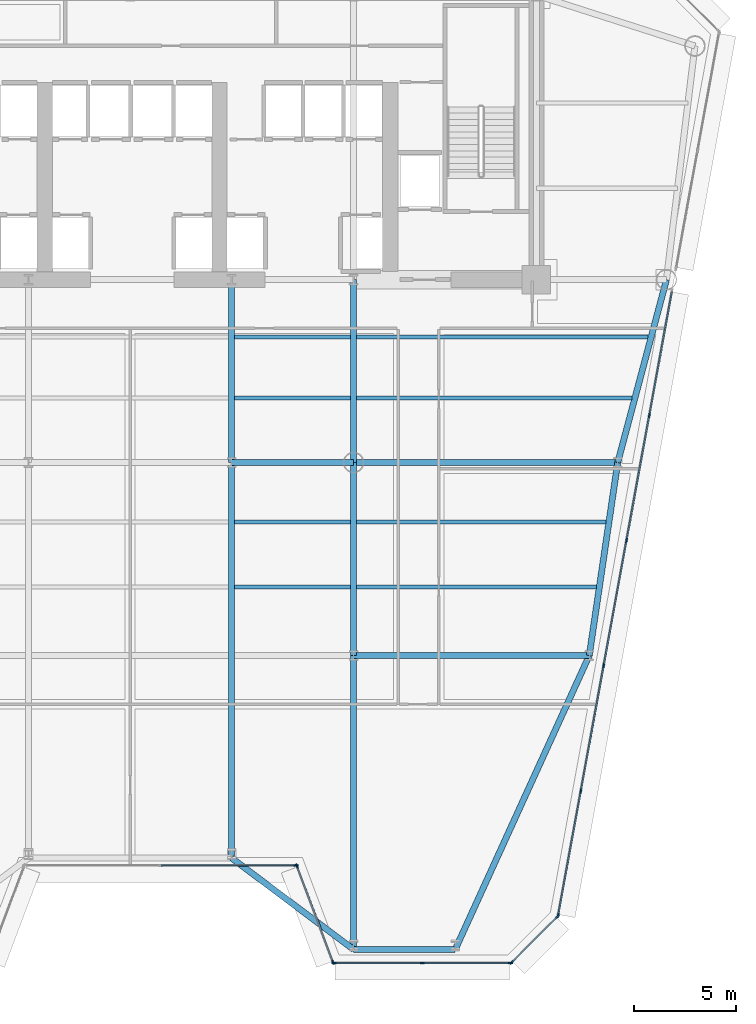
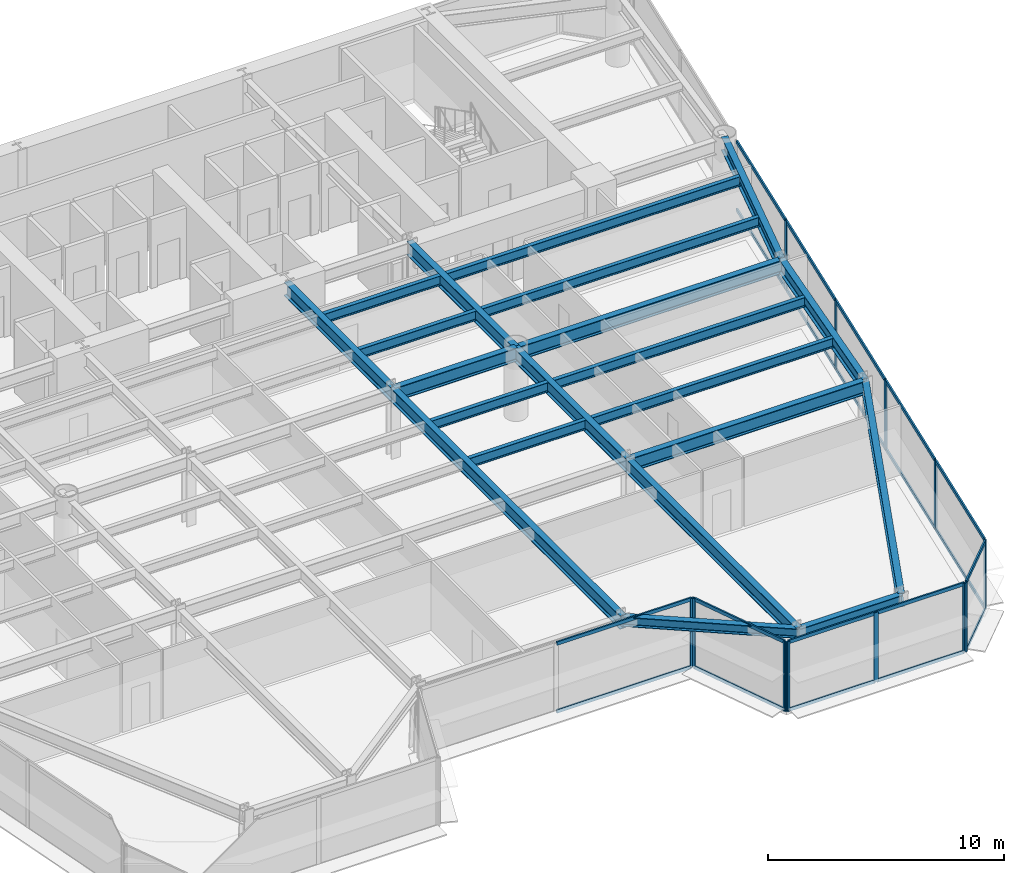
# One storey, part 4 of 14: 33 members, 21 beams, 5 elements without a shape of their own.
"""IFC4 building model written with IfcOpenShell, lengths in metres."""

import ifcopenshell
import ifcopenshell.guid

model = None  # the IFC model being written
_history = None  # IfcOwnerHistory: only IFC2X3 demands one
_inside = {}  # id of a spatial element -> (the spatial element, [elements in it])
_under = {}  # id of a project, library or spatial element -> (it, [spatial elements below it])
_declared = {}  # id of a project -> (the project, [libraries it declares])
_typed = {}  # id of a type object -> (the type object, [elements of that type])
_made_of = {}  # id of a material, layer set ... -> (it, [elements and type objects made of it])


def new_model(schema):
    """Start an empty IFC model of exactly this schema.

    Asked for "IFC4X3", IfcOpenShell would pick the latest addendum, in which some entities
    have other attributes; the version numbers below select the first issue.
    IFC2X3 requires an IfcOwnerHistory on every rooted entity: one is made here for all.
    """
    global model, _history
    if schema == "IFC4X3":
        model = ifcopenshell.file(schema_version=(4, 3, 0, 0))
    else:
        model = ifcopenshell.file(schema=schema)
    _inside.clear()
    _under.clear()
    _declared.clear()
    _typed.clear()
    _made_of.clear()
    _history = None
    if model.schema == "IFC2X3":
        org = make("IfcOrganization", Name="unknown")
        user = make(
            "IfcPersonAndOrganization",
            ThePerson=make("IfcPerson", FamilyName="unknown"),
            TheOrganization=org,
        )
        app = make(
            "IfcApplication",
            ApplicationDeveloper=org,
            Version="unknown",
            ApplicationFullName="unknown",
            ApplicationIdentifier="unknown",
        )
        _history = make(
            "IfcOwnerHistory",
            OwningUser=user,
            OwningApplication=app,
            ChangeAction="ADDED",
            CreationDate=0,
        )
    return model


def make(cls, **values):
    """One entity of the class cls with the attributes given. An attribute that is None is left unset."""
    return model.create_entity(
        cls, **{name: value for name, value in values.items() if value is not None}
    )


def rooted(cls, **values):
    """An entity with a GlobalId (a new one), such as an element, a storey or a relation."""
    return make(cls, GlobalId=ifcopenshell.guid.new(), OwnerHistory=_history, **values)


def si_unit(unit_type, name, prefix=None):
    """IfcSIUnit, for example si_unit("LENGTHUNIT", "METRE", prefix="MILLI")."""
    return make("IfcSIUnit", UnitType=unit_type, Prefix=prefix, Name=name)


def assignment(units):
    """IfcUnitAssignment: the units of a project."""
    return None if units is None else make("IfcUnitAssignment", Units=units)


def point(xyz):
    """IfcCartesianPoint."""
    return None if xyz is None else make("IfcCartesianPoint", Coordinates=xyz)


def direction(xyz):
    """IfcDirection."""
    return None if xyz is None else make("IfcDirection", DirectionRatios=xyz)


def frame(location, z_axis=None, x_axis=None):
    """IfcAxis2Placement3D, a coordinate frame: its origin and axes. An axis left out is left unset."""
    return make(
        "IfcAxis2Placement3D",
        Location=point(location),
        Axis=direction(z_axis),
        RefDirection=direction(x_axis),
    )


def frame_2d(location, x_axis=None):
    """IfcAxis2Placement2D, a coordinate frame in the plane: its origin and x axis."""
    return make(
        "IfcAxis2Placement2D", Location=point(location), RefDirection=direction(x_axis)
    )


def origin():
    """The frame at (0, 0, 0) with its axes left unset."""
    return frame((0.0, 0.0, 0.0))


def origin_2d():
    """The frame at (0, 0) in the plane with its x axis left unset."""
    return frame_2d((0.0, 0.0))


def place(relative_to, where):
    """IfcLocalPlacement: puts the frame where relative to a parent placement (None: the world)."""
    return make(
        "IfcLocalPlacement", PlacementRelTo=relative_to, RelativePlacement=where
    )


def context(
    kind, dimensions, precision=None, world=None, true_north=None, identifier=None
):
    """IfcGeometricRepresentationContext, for example the 3D "Model" context."""
    return make(
        "IfcGeometricRepresentationContext",
        ContextIdentifier=identifier,
        ContextType=kind,
        CoordinateSpaceDimension=dimensions,
        Precision=precision,
        WorldCoordinateSystem=world,
        TrueNorth=true_north,
    )


def subcontext(parent, identifier, kind, view, scale=None):
    """IfcGeometricRepresentationSubContext, for example "Body" below "Model"."""
    return make(
        "IfcGeometricRepresentationSubContext",
        ContextIdentifier=identifier,
        ContextType=kind,
        ParentContext=parent,
        TargetScale=scale,
        TargetView=view,
    )


def project(units=None, contexts=None):
    """IfcProject with its units and contexts."""
    return rooted(
        "IfcProject",
        Name="project",
        RepresentationContexts=contexts,
        UnitsInContext=assignment(units),
    )


def spatial(cls, under=None, at=None, **own):
    """A site, building, storey or space (cls), placed at a placement, below another one or the project."""
    s = rooted(cls, ObjectPlacement=at, **own)
    if under is not None:
        _under.setdefault(under.id(), (under, []))[1].append(s)
    return s


def profile(cls, at=None, kind="AREA", **sizes):
    """A parametric profile (cls). Its sizes go by their IFC names, for example OverallWidth=200.0."""
    return make(cls, ProfileType=kind, Position=at, **sizes)


def rectangle(**sizes):
    """IfcRectangleProfileDef."""
    return profile("IfcRectangleProfileDef", **sizes)


def i_section(**sizes):
    """IfcIShapeProfileDef."""
    return profile("IfcIShapeProfileDef", **sizes)


def extrude(swept, where, along, depth):
    """IfcExtrudedAreaSolid: the profile swept, set in the frame where, extruded along a direction by depth."""
    return make(
        "IfcExtrudedAreaSolid",
        SweptArea=swept,
        Position=where,
        ExtrudedDirection=direction(along),
        Depth=depth,
    )


def shape(context_of_items, identifier, shape_type, items):
    """IfcShapeRepresentation: the items that make up one representation, for example the "Body"."""
    return make(
        "IfcShapeRepresentation",
        ContextOfItems=context_of_items,
        RepresentationIdentifier=identifier,
        RepresentationType=shape_type,
        Items=items,
    )


def source(mapping_origin, context_of_items, identifier, shape_type, items):
    """IfcRepresentationMap: a shape defined once, which mapped items show again and again."""
    return make(
        "IfcRepresentationMap",
        MappingOrigin=mapping_origin,
        MappedRepresentation=shape(context_of_items, identifier, shape_type, items),
    )


def transform(
    local_origin,
    x_axis=None,
    y_axis=None,
    z_axis=None,
    scale=None,
    scale2=None,
    scale3=None,
    uniform=True,
):
    """IfcCartesianTransformationOperator3D, or its non-uniform kind. x_axis, y_axis, z_axis: its Axis1, 2, 3."""
    if uniform:
        return make(
            "IfcCartesianTransformationOperator3D",
            Axis1=direction(x_axis),
            Axis2=direction(y_axis),
            LocalOrigin=point(local_origin),
            Scale=scale,
            Axis3=direction(z_axis),
        )
    return make(
        "IfcCartesianTransformationOperator3DnonUniform",
        Axis1=direction(x_axis),
        Axis2=direction(y_axis),
        LocalOrigin=point(local_origin),
        Scale=scale,
        Axis3=direction(z_axis),
        Scale2=scale2,
        Scale3=scale3,
    )


def mapped(mapping_source, mapping_target):
    """IfcMappedItem: shows the shape of a source again, moved by a transform."""
    return make(
        "IfcMappedItem", MappingSource=mapping_source, MappingTarget=mapping_target
    )


def material(Name=None, Category=None):
    """IfcMaterial."""
    return make("IfcMaterial", Name=Name, Category=Category)


def layer(
    of_material, thickness, ventilated=None, Name=None, Category=None, Priority=None
):
    """IfcMaterialLayer: one layer of a wall or slab, of a material (None: an air gap)."""
    return make(
        "IfcMaterialLayer",
        Material=of_material,
        LayerThickness=thickness,
        IsVentilated=ventilated,
        Name=Name,
        Category=Category,
        Priority=Priority,
    )


def layer_set(layers, Name=None):
    """IfcMaterialLayerSet."""
    return make("IfcMaterialLayerSet", MaterialLayers=layers, LayerSetName=Name)


def material_profile(
    of_material, cross_section, Name=None, Category=None, Priority=None
):
    """IfcMaterialProfile: a cross section and its material."""
    return make(
        "IfcMaterialProfile",
        Name=Name,
        Material=of_material,
        Profile=cross_section,
        Priority=Priority,
        Category=Category,
    )


def profile_set(profiles, Name=None, composite=None):
    """IfcMaterialProfileSet."""
    return make(
        "IfcMaterialProfileSet",
        Name=Name,
        MaterialProfiles=profiles,
        CompositeProfile=composite,
    )


def made_of(thing, what):
    """Note that an element or type object is made of a material, layer set ...; save() writes the relation."""
    if what is not None:
        _made_of.setdefault(what.id(), (what, []))[1].append(thing)
    return thing


def type_object(cls, material=None, **own):
    """A type object (cls), such as IfcWallType, which elements share."""
    return made_of(rooted(cls, **own), material)


def element(
    cls,
    number,
    at=None,
    inside=None,
    cuts=None,
    type_object=None,
    material=None,
    context=None,
    identifier="Body",
    shape_type=None,
    held_by="IfcProductDefinitionShape",
    body=None,
    shapes=None,
    **own,
):
    """One element of the class cls, such as IfcWall. Its Tag is "e" and its number.

    at: its placement. inside: the storey or other place that contains it. cuts: it is an
    opening in that element (IfcRelVoidsElement). A single representation is given by context,
    identifier, shape_type and body (its items); several are given by shapes. held_by: the class
    of the entity that holds the representations. save() writes the other relations.
    """
    e = rooted(cls, Tag="e%d" % number, ObjectPlacement=at, **own)
    if body is not None:
        shapes = [shape(context, identifier, shape_type, body)]
    if shapes is not None:
        e.Representation = make(held_by, Representations=shapes)
    if inside is not None:
        _inside.setdefault(inside.id(), (inside, []))[1].append(e)
    if cuts is not None:
        rooted(
            "IfcRelVoidsElement", RelatingBuildingElement=cuts, RelatedOpeningElement=e
        )
    if type_object is not None:
        _typed.setdefault(type_object.id(), (type_object, []))[1].append(e)
    return made_of(e, material)


def aggregate(whole, parts):
    """IfcRelAggregates: a whole, such as a stair, and the parts it consists of."""
    return rooted("IfcRelAggregates", RelatingObject=whole, RelatedObjects=parts)


def save(model, path):
    """Write the relations noted so far, then the file.

    IfcRelAggregates (storeys below a building ...), IfcRelContainedInSpatialStructure (elements
    in a storey), IfcRelDefinesByType, IfcRelAssociatesMaterial and IfcRelDeclares: one each for
    every whole, place, type object, material and project.
    """
    for whole, parts in _under.values():
        aggregate(whole, parts)
    for where, things in _inside.values():
        rooted(
            "IfcRelContainedInSpatialStructure",
            RelatedElements=things,
            RelatingStructure=where,
        )
    for kind, things in _typed.values():
        rooted("IfcRelDefinesByType", RelatedObjects=things, RelatingType=kind)
    for what, things in _made_of.values():
        rooted("IfcRelAssociatesMaterial", RelatedObjects=things, RelatingMaterial=what)
    for by, libraries in _declared.values():
        rooted("IfcRelDeclares", RelatingContext=by, RelatedDefinitions=libraries)
    model.write(path)


model = new_model("IFC4")

# Units and contexts
model_context = context("Model", 3, precision=1e-05, world=origin(), true_north=direction((0.0, 1.0)))
body_context = subcontext(model_context, "Body", "Model", "MODEL_VIEW")
ifc_project = project(units=[si_unit("LENGTHUNIT", "METRE"), si_unit("AREAUNIT", "SQUARE_METRE"), si_unit("VOLUMEUNIT", "CUBIC_METRE"), si_unit("PLANEANGLEUNIT", "RADIAN"), si_unit("MASSUNIT", "GRAM", prefix="KILO")], contexts=[model_context])

# Site, building, storey
site_placement = place(None, origin())
site = spatial("IfcSite", under=ifc_project, at=site_placement, CompositionType="ELEMENT")
building_placement = place(site_placement, origin())
building = spatial("IfcBuilding", under=site, at=building_placement, Name="Vaeldorn Concourse Tower", CompositionType="ELEMENT")
storey_placement = place(building_placement, frame((0.0, 0.0, 99.60009765625)))
storey = spatial("IfcBuildingStorey", under=building, at=storey_placement, Name="L25", CompositionType="ELEMENT", Elevation=99.60009765625)

# Beams
ifc_material_1 = material(Name="Steel S355", Category="steel")
ifc_material_profile_1 = material_profile(ifc_material_1, i_section(OverallWidth=0.199951171875, OverallDepth=0.5, WebThickness=0.01025390625, FlangeThickness=0.01611328125, FilletRadius=0.02099609375, at=origin_2d()), Name="IPE 500")
ifc_profile_set_1 = profile_set([ifc_material_profile_1], Name="Steel S355")
beam_type_1 = type_object("IfcBeamType", Name="BM-JS-IPE500", PredefinedType="JOIST", material=ifc_profile_set_1)
shared_shape_1 = source(origin(), body_context, "Body", "SweptSolid", [
    extrude(i_section(OverallWidth=0.199951171875, OverallDepth=0.5, WebThickness=0.01025390625, FlangeThickness=0.01611328125, FilletRadius=0.02099609375, at=origin_2d()), origin(), (0.0, 0.0, 1.0), 5.7001953125),
])
for number, where, z_axis, x_axis, name in (
    (1, (39.14990234375, 21.3798828125, 3.329833984375), (1.0, 0.0, 0.0), (0.0, 1.0, 0.0), "Beam JS-L25-E2-213"),
    (2, (39.14990234375, 24.580078125, 3.329833984375), (1.0, 0.0, 0.0), (0.0, 1.0, 0.0), "Beam JS-L25-E2-245"),
    (3, (39.14990234375, 30.679931640625, 3.329833984375), (1.0, 0.0, 0.0), (0.0, 1.0, 0.0), "Beam JS-L25-E2-306"),
    (4, (39.14990234375, 33.679931640625, 3.329833984375), (1.0, 0.0, 0.0), (0.0, 1.0, 0.0), "Beam JS-L25-E2-336"),
):
    element("IfcBeam", number, at=place(storey_placement, frame(where, z_axis=z_axis, x_axis=x_axis)), inside=storey, type_object=beam_type_1, Name=name, PredefinedType="JOIST", context=body_context, shape_type="MappedRepresentation", body=[
        mapped(shared_shape_1, transform((0.0, 0.0, 0.0), scale=1.0)),
    ])
shared_shape_2 = source(origin(), body_context, "Body", "SweptSolid", [
    extrude(i_section(OverallWidth=0.199951171875, OverallDepth=0.5, WebThickness=0.01025390625, FlangeThickness=0.01611328125, FilletRadius=0.02099609375, at=origin_2d()), origin(), (0.0, 0.0, 1.0), 11.798095703125),
])
beam_1_placement = place(storey_placement, frame((45.14990234375, 21.3798828125, 3.329833984375), z_axis=(1.0, 0.0, 0.0), x_axis=(0.0, 1.0, 0.0)))
element("IfcBeam", 5, at=beam_1_placement, inside=storey, type_object=beam_type_1, Name="Beam JS-L25-E1-213", PredefinedType="JOIST", context=body_context, shape_type="MappedRepresentation", body=[
    mapped(shared_shape_2, transform((0.0, 0.0, 0.0), scale=1.0)),
])
shared_shape_3 = source(origin(), body_context, "Body", "SweptSolid", [
    extrude(i_section(OverallWidth=0.199951171875, OverallDepth=0.5, WebThickness=0.01025390625, FlangeThickness=0.01611328125, FilletRadius=0.02099609375, at=origin_2d()), origin(), (0.0, 0.0, 1.0), 12.269775390625),
])
beam_2_placement = place(storey_placement, frame((45.14990234375, 24.580078125, 3.329833984375), z_axis=(1.0, 0.0, 0.0), x_axis=(0.0, 1.0, 0.0)))
element("IfcBeam", 6, at=beam_2_placement, inside=storey, type_object=beam_type_1, Name="Beam JS-L25-E1-245", PredefinedType="JOIST", context=body_context, shape_type="MappedRepresentation", body=[
    mapped(shared_shape_3, transform((0.0, 0.0, 0.0), scale=1.0)),
])
shared_shape_4 = source(origin(), body_context, "Body", "SweptSolid", [
    extrude(i_section(OverallWidth=0.199951171875, OverallDepth=0.5, WebThickness=0.01025390625, FlangeThickness=0.01611328125, FilletRadius=0.02099609375, at=origin_2d()), origin(), (0.0, 0.0, 1.0), 13.548095703125),
])
beam_3_placement = place(storey_placement, frame((45.14990234375, 30.679931640625, 3.329833984375), z_axis=(1.0, 0.0, 0.0), x_axis=(0.0, 1.0, 0.0)))
element("IfcBeam", 7, at=beam_3_placement, inside=storey, type_object=beam_type_1, Name="Beam JS-L25-E1-306", PredefinedType="JOIST", context=body_context, shape_type="MappedRepresentation", body=[
    mapped(shared_shape_4, transform((0.0, 0.0, 0.0), scale=1.0)),
])
shared_shape_5 = source(origin(), body_context, "Body", "SweptSolid", [
    extrude(i_section(OverallWidth=0.199951171875, OverallDepth=0.5, WebThickness=0.01025390625, FlangeThickness=0.01611328125, FilletRadius=0.02099609375, at=origin_2d()), origin(), (0.0, 0.0, 1.0), 14.34814453125),
])
beam_4_placement = place(storey_placement, frame((45.14990234375, 33.679931640625, 3.329833984375), z_axis=(1.0, 0.0, 0.0), x_axis=(0.0, 1.0, 0.0)))
element("IfcBeam", 8, at=beam_4_placement, inside=storey, type_object=beam_type_1, Name="Beam JS-L25-E1-336", PredefinedType="JOIST", context=body_context, shape_type="MappedRepresentation", body=[
    mapped(shared_shape_5, transform((0.0, 0.0, 0.0), scale=1.0)),
])
ifc_material_profile_2 = material_profile(ifc_material_1, i_section(OverallWidth=0.300048828125, OverallDepth=0.699951171875, WebThickness=0.01708984375, FlangeThickness=0.031982421875, FilletRadius=0.027099609375, at=origin_2d()), Name="HEB 700")
ifc_profile_set_2 = profile_set([ifc_material_profile_2], Name="Steel S355")
beam_type_2 = type_object("IfcBeamType", Name="BM-PG-HEB700", PredefinedType="BEAM", material=ifc_profile_set_2)
shared_shape_6 = source(origin(), body_context, "Body", "SweptSolid", [
    extrude(i_section(OverallWidth=0.300048828125, OverallDepth=0.699951171875, WebThickness=0.01708984375, FlangeThickness=0.031982421875, FilletRadius=0.027099609375, at=origin_2d()), origin(), (0.0, 0.0, 1.0), 6.0),
])
beam_5_placement = place(storey_placement, frame((39.0, 27.5, 3.22998046875), z_axis=(1.0, 0.0, 0.0), x_axis=(0.0, 1.0, 0.0)))
element("IfcBeam", 9, at=beam_5_placement, inside=storey, type_object=beam_type_2, Name="Beam BM-L25-C-TW3-C-TW4", PredefinedType="BEAM", context=body_context, shape_type="MappedRepresentation", body=[
    mapped(shared_shape_6, transform((0.0, 0.0, 0.0), scale=1.0)),
])
shared_shape_7 = source(origin(), body_context, "Body", "SweptSolid", [
    extrude(i_section(OverallWidth=0.300048828125, OverallDepth=0.699951171875, WebThickness=0.01708984375, FlangeThickness=0.031982421875, FilletRadius=0.027099609375, at=origin_2d()), origin(), (0.0, 0.0, 1.0), 9.0),
])
for number, where, z_axis, x_axis, name in (
    (10, (39.0, 27.5, 3.22998046875), (0.0, 1.0, 0.0), (-1.0, 0.0, 0.0), "Beam BM-L25-C-TW3-C-FC4"),
    (11, (45.0, 27.5, 3.22998046875), (0.0, 1.0, 0.0), (-1.0, 0.0, 0.0), "Beam BM-L25-C-TW4-C-FC5"),
):
    element("IfcBeam", number, at=place(storey_placement, frame(where, z_axis=z_axis, x_axis=x_axis)), inside=storey, type_object=beam_type_2, Name=name, PredefinedType="BEAM", context=body_context, shape_type="MappedRepresentation", body=[
        mapped(shared_shape_7, transform((0.0, 0.0, 0.0), scale=1.0)),
    ])
shared_shape_8 = source(origin(), body_context, "Body", "SweptSolid", [
    extrude(i_section(OverallWidth=0.300048828125, OverallDepth=0.699951171875, WebThickness=0.01708984375, FlangeThickness=0.031982421875, FilletRadius=0.027099609375, at=origin_2d()), origin(), (0.0, 0.0, 1.0), 9.314453125),
])
beam_6_placement = place(storey_placement, frame((60.39990234375, 36.5, 3.22998046875), z_axis=(-0.257652862255, -0.966237549763, 0.0), x_axis=(0.966237549763, -0.257652862255, 0.0)))
element("IfcBeam", 12, at=beam_6_placement, inside=storey, type_object=beam_type_2, Name="Beam BM-L25-C-NE2-C-FLE1", PredefinedType="BEAM", context=body_context, shape_type="MappedRepresentation", body=[
    mapped(shared_shape_8, transform((0.0, 0.0, 0.0), scale=1.0)),
])
shared_shape_9 = source(origin(), body_context, "Body", "SweptSolid", [
    extrude(i_section(OverallWidth=0.300048828125, OverallDepth=0.699951171875, WebThickness=0.01708984375, FlangeThickness=0.031982421875, FilletRadius=0.027099609375, at=origin_2d()), origin(), (0.0, 0.0, 1.0), 13.0),
])
beam_7_placement = place(storey_placement, frame((45.0, 27.5, 3.22998046875), z_axis=(1.0, 0.0, 0.0), x_axis=(0.0, 1.0, 0.0)))
element("IfcBeam", 13, at=beam_7_placement, inside=storey, type_object=beam_type_2, Name="Beam BM-L25-C-TW4-C-FLE1", PredefinedType="BEAM", context=body_context, shape_type="MappedRepresentation", body=[
    mapped(shared_shape_9, transform((0.0, 0.0, 0.0), scale=1.0)),
])
ifc_material_profile_3 = material_profile(ifc_material_1, i_section(OverallWidth=0.300048828125, OverallDepth=0.5, WebThickness=0.014404296875, FlangeThickness=0.028076171875, FilletRadius=0.027099609375, at=origin_2d()), Name="HEB 500")
ifc_profile_set_3 = profile_set([ifc_material_profile_3], Name="Steel S355")
beam_type_3 = type_object("IfcBeamType", Name="BM-SP-HEB500", PredefinedType="SPANDREL", material=ifc_profile_set_3)
shared_shape_10 = source(origin(), body_context, "Body", "SweptSolid", [
    extrude(i_section(OverallWidth=0.300048828125, OverallDepth=0.5, WebThickness=0.014404296875, FlangeThickness=0.028076171875, FilletRadius=0.027099609375, at=origin_2d()), origin(), (0.0, 0.0, 1.0), 5.0),
])
beam_8_placement = place(storey_placement, frame((45.0, 3.52978515625, 3.329833984375), z_axis=(1.0, 0.0, 0.0), x_axis=(0.0, 1.0, 0.0)))
element("IfcBeam", 14, at=beam_8_placement, inside=storey, type_object=beam_type_3, Name="Beam BM-L25-C-SF5-C-SF6", PredefinedType="SPANDREL", context=body_context, shape_type="MappedRepresentation", body=[
    mapped(shared_shape_10, transform((0.0, 0.0, 0.0), scale=1.0)),
])
shared_shape_11 = source(origin(), body_context, "Body", "SweptSolid", [
    extrude(i_section(OverallWidth=0.300048828125, OverallDepth=0.5, WebThickness=0.014404296875, FlangeThickness=0.028076171875, FilletRadius=0.027099609375, at=origin_2d()), origin(), (0.0, 0.0, 1.0), 7.5),
])
beam_9_placement = place(storey_placement, frame((39.0, 8.02978515625, 3.329833984375), z_axis=(0.8, -0.6, 0.0), x_axis=(0.6, 0.8, 0.0)))
element("IfcBeam", 15, at=beam_9_placement, inside=storey, type_object=beam_type_3, Name="Beam BM-L25-C-SF4-C-SF5", PredefinedType="SPANDREL", context=body_context, shape_type="MappedRepresentation", body=[
    mapped(shared_shape_11, transform((0.0, 0.0, 0.0), scale=1.0)),
])
shared_shape_12 = source(origin(), body_context, "Body", "SweptSolid", [
    extrude(i_section(OverallWidth=0.300048828125, OverallDepth=0.699951171875, WebThickness=0.01708984375, FlangeThickness=0.031982421875, FilletRadius=0.027099609375, at=origin_2d()), origin(), (0.0, 0.0, 1.0), 9.6025390625),
])
beam_10_placement = place(storey_placement, frame((58.0, 27.5, 3.22998046875), z_axis=(-0.145783835977, -0.989316467652, 0.0), x_axis=(0.989316467652, -0.145783835977, 0.0)))
element("IfcBeam", 16, at=beam_10_placement, inside=storey, type_object=beam_type_2, Name="Beam BM-L25-C-FLE1-C-FLE2", PredefinedType="BEAM", context=body_context, shape_type="MappedRepresentation", body=[
    mapped(shared_shape_12, transform((0.0, 0.0, 0.0), scale=1.0)),
])
shared_shape_13 = source(origin(), body_context, "Body", "SweptSolid", [
    extrude(i_section(OverallWidth=0.300048828125, OverallDepth=0.699951171875, WebThickness=0.01708984375, FlangeThickness=0.031982421875, FilletRadius=0.027099609375, at=origin_2d()), origin(), (0.0, 0.0, 1.0), 11.60009765625),
])
beam_11_placement = place(storey_placement, frame((45.0, 18.0, 3.22998046875), z_axis=(1.0, 0.0, 0.0), x_axis=(0.0, 1.0, 0.0)))
element("IfcBeam", 17, at=beam_11_placement, inside=storey, type_object=beam_type_2, Name="Beam BM-L25-C-TW6-C-FLE2", PredefinedType="BEAM", context=body_context, shape_type="MappedRepresentation", body=[
    mapped(shared_shape_13, transform((0.0, 0.0, 0.0), scale=1.0)),
])
shared_shape_14 = source(origin(), body_context, "Body", "SweptSolid", [
    extrude(i_section(OverallWidth=0.300048828125, OverallDepth=0.699951171875, WebThickness=0.01708984375, FlangeThickness=0.031982421875, FilletRadius=0.027099609375, at=origin_2d()), origin(), (0.0, 0.0, 1.0), 9.5),
])
beam_12_placement = place(storey_placement, frame((45.0, 18.0, 3.22998046875), z_axis=(0.0, 1.0, 0.0), x_axis=(-1.0, 0.0, 0.0)))
element("IfcBeam", 18, at=beam_12_placement, inside=storey, type_object=beam_type_2, Name="Beam BM-L25-C-TW6-C-TW4", PredefinedType="BEAM", context=body_context, shape_type="MappedRepresentation", body=[
    mapped(shared_shape_14, transform((0.0, 0.0, 0.0), scale=1.0)),
])
shared_shape_15 = source(origin(), body_context, "Body", "SweptSolid", [
    extrude(i_section(OverallWidth=0.300048828125, OverallDepth=0.699951171875, WebThickness=0.01708984375, FlangeThickness=0.031982421875, FilletRadius=0.027099609375, at=origin_2d()), origin(), (0.0, 0.0, 1.0), 15.904296875),
])
beam_13_placement = place(storey_placement, frame((50.0, 3.52978515625, 3.22998046875), z_axis=(0.414986899968, 0.909827386296, 0.0), x_axis=(-0.909827386296, 0.414986899968, 0.0)))
element("IfcBeam", 19, at=beam_13_placement, inside=storey, type_object=beam_type_2, Name="Beam BM-L25-C-SF6-C-FLE2", PredefinedType="BEAM", context=body_context, shape_type="MappedRepresentation", body=[
    mapped(shared_shape_15, transform((0.0, 0.0, 0.0), scale=1.0)),
])
shared_shape_16 = source(origin(), body_context, "Body", "SweptSolid", [
    extrude(i_section(OverallWidth=0.300048828125, OverallDepth=0.699951171875, WebThickness=0.01708984375, FlangeThickness=0.031982421875, FilletRadius=0.027099609375, at=origin_2d()), origin(), (0.0, 0.0, 1.0), 14.47021484375),
])
beam_14_placement = place(storey_placement, frame((45.0, 3.52978515625, 3.22998046875), z_axis=(0.0, 1.0, 0.0), x_axis=(-1.0, 0.0, 0.0)))
element("IfcBeam", 20, at=beam_14_placement, inside=storey, type_object=beam_type_2, Name="Beam BM-L25-C-SF5-C-TW6", PredefinedType="BEAM", context=body_context, shape_type="MappedRepresentation", body=[
    mapped(shared_shape_16, transform((0.0, 0.0, 0.0), scale=1.0)),
])
shared_shape_17 = source(origin(), body_context, "Body", "SweptSolid", [
    extrude(i_section(OverallWidth=0.300048828125, OverallDepth=0.699951171875, WebThickness=0.01708984375, FlangeThickness=0.031982421875, FilletRadius=0.027099609375, at=origin_2d()), origin(), (0.0, 0.0, 1.0), 19.47021484375),
])
beam_15_placement = place(storey_placement, frame((39.0, 8.02978515625, 3.22998046875), z_axis=(0.0, 1.0, 0.0), x_axis=(-1.0, 0.0, 0.0)))
element("IfcBeam", 21, at=beam_15_placement, inside=storey, type_object=beam_type_2, Name="Beam BM-L25-C-SF4-C-TW3", PredefinedType="BEAM", context=body_context, shape_type="MappedRepresentation", body=[
    mapped(shared_shape_17, transform((0.0, 0.0, 0.0), scale=1.0)),
])

# Curtain wall, member
ifc_material_2 = material(Name="Anodised Bronze Aluminium", Category="aluminium")
ifc_layer = layer(ifc_material_2, 0.2099609375)
ifc_layer_set = layer_set([ifc_layer], Name="Anodised Bronze Aluminium")
curtain_wall_type = type_object("IfcCurtainWallType", Name="CW-SYS-06", PredefinedType="NOTDEFINED", material=ifc_layer_set)
curtain_wall_1_placement = place(storey_placement, origin())
curtain_wall_1 = element("IfcCurtainWall", 22, at=curtain_wall_1_placement, inside=storey, type_object=curtain_wall_type, Name="Unitised Curtain Wall CW-L25-E03-1", PredefinedType="NOTDEFINED")
ifc_material_profile_4 = material_profile(ifc_material_2, rectangle(XDim=0.074951171875, YDim=0.219970703125, at=origin_2d()), Name="CWM 75x220")
ifc_profile_set_4 = profile_set([ifc_material_profile_4], Name="Anodised Bronze Aluminium")
member_type_1 = type_object("IfcMemberType", Name="CWM-BRONZE-220", PredefinedType="MULLION", material=ifc_profile_set_4)
shared_shape_18 = source(origin(), body_context, "Body", "SweptSolid", [
    extrude(rectangle(XDim=0.074951171875, YDim=0.219970703125, at=origin_2d()), origin(), (0.0, 0.0, 1.0), 3.579833984375),
])
member_1_placement = place(storey_placement, frame((42.16259765625, 7.6689453125, 0.0), z_axis=(0.0, 0.0, 1.0), x_axis=(0.0, 1.0, 0.0)))
member_1 = element("IfcMember", 23, at=member_1_placement, type_object=member_type_1, Name="CW-06 mullion 3", PredefinedType="MULLION", context=body_context, shape_type="MappedRepresentation", body=[
    mapped(shared_shape_18, transform((0.0, 0.0, 0.0), scale=1.0)),
])

# Curtain wall, members
curtain_wall_2_placement = place(storey_placement, origin())
curtain_wall_2 = element("IfcCurtainWall", 24, at=curtain_wall_2_placement, inside=storey, type_object=curtain_wall_type, Name="Unitised Curtain Wall CW-L25-E04-1", PredefinedType="NOTDEFINED")
member_2_placement = place(storey_placement, frame((42.213134765625, 7.6337890625, 0.0), z_axis=(0.0, 0.0, 1.0), x_axis=(0.936329177566, 0.351123441595, 0.0)))
member_2 = element("IfcMember", 25, at=member_2_placement, type_object=member_type_1, Name="CW-06 mullion 1", PredefinedType="MULLION", context=body_context, shape_type="MappedRepresentation", body=[
    mapped(shared_shape_18, transform((0.0, 0.0, 0.0), scale=1.0)),
])
member_3_placement = place(storey_placement, frame((43.98681640625, 2.904052734375, 0.0), z_axis=(0.0, 0.0, 1.0), x_axis=(0.936329177566, 0.351123441595, 0.0)))
member_3 = element("IfcMember", 26, at=member_3_placement, type_object=member_type_1, Name="CW-06 mullion 2", PredefinedType="MULLION", context=body_context, shape_type="MappedRepresentation", body=[
    mapped(shared_shape_18, transform((0.0, 0.0, 0.0), scale=1.0)),
])

curtain_wall_3_placement = place(storey_placement, origin())
curtain_wall_3 = element("IfcCurtainWall", 27, at=curtain_wall_3_placement, inside=storey, type_object=curtain_wall_type, Name="Unitised Curtain Wall CW-L25-E05-1", PredefinedType="NOTDEFINED")
member_4_placement = place(storey_placement, frame((44.03759765625, 2.868896484375, 0.0), z_axis=(0.0, 0.0, 1.0), x_axis=(0.0, 1.0, 0.0)))
member_4 = element("IfcMember", 28, at=member_4_placement, type_object=member_type_1, Name="CW-06 mullion 1", PredefinedType="MULLION", context=body_context, shape_type="MappedRepresentation", body=[
    mapped(shared_shape_18, transform((0.0, 0.0, 0.0), scale=1.0)),
])
member_5_placement = place(storey_placement, frame((48.379150390625, 2.868896484375, 0.0), z_axis=(0.0, 0.0, 1.0), x_axis=(0.0, 1.0, 0.0)))
member_5 = element("IfcMember", 29, at=member_5_placement, type_object=member_type_1, Name="CW-06 mullion 2", PredefinedType="MULLION", context=body_context, shape_type="MappedRepresentation", body=[
    mapped(shared_shape_18, transform((0.0, 0.0, 0.0), scale=1.0)),
])
member_6_placement = place(storey_placement, frame((52.720947265625, 2.868896484375, 0.0), z_axis=(0.0, 0.0, 1.0), x_axis=(0.0, 1.0, 0.0)))
member_6 = element("IfcMember", 30, at=member_6_placement, type_object=member_type_1, Name="CW-06 mullion 3", PredefinedType="MULLION", context=body_context, shape_type="MappedRepresentation", body=[
    mapped(shared_shape_18, transform((0.0, 0.0, 0.0), scale=1.0)),
])

curtain_wall_4_placement = place(storey_placement, origin())
curtain_wall_4 = element("IfcCurtainWall", 31, at=curtain_wall_4_placement, inside=storey, type_object=curtain_wall_type, Name="Unitised Curtain Wall CW-L25-E06-1", PredefinedType="NOTDEFINED")
member_7_placement = place(storey_placement, frame((52.784912109375, 2.8955078125, 0.0), z_axis=(0.0, 0.0, 1.0), x_axis=(-0.707106781187, 0.707106781187, 0.0)))
member_7 = element("IfcMember", 32, at=member_7_placement, type_object=member_type_1, Name="CW-06 mullion 1", PredefinedType="MULLION", context=body_context, shape_type="MappedRepresentation", body=[
    mapped(shared_shape_18, transform((0.0, 0.0, 0.0), scale=1.0)),
])
member_8_placement = place(storey_placement, frame((55.031982421875, 5.142333984375, 0.0), z_axis=(0.0, 0.0, 1.0), x_axis=(-0.707106781187, 0.707106781187, 0.0)))
member_8 = element("IfcMember", 33, at=member_8_placement, type_object=member_type_1, Name="CW-06 mullion 2", PredefinedType="MULLION", context=body_context, shape_type="MappedRepresentation", body=[
    mapped(shared_shape_18, transform((0.0, 0.0, 0.0), scale=1.0)),
])

curtain_wall_5_placement = place(storey_placement, origin())
curtain_wall_5 = element("IfcCurtainWall", 34, at=curtain_wall_5_placement, inside=storey, type_object=curtain_wall_type, Name="Unitised Curtain Wall CW-L25-E07-1", PredefinedType="NOTDEFINED")
member_9_placement = place(storey_placement, frame((55.065185546875, 5.205810546875, 0.0), z_axis=(0.0, 0.0, 1.0), x_axis=(-0.98376286924, 0.179473165416, 0.0)))
member_9 = element("IfcMember", 35, at=member_9_placement, type_object=member_type_1, Name="CW-06 mullion 1", PredefinedType="MULLION", context=body_context, shape_type="MappedRepresentation", body=[
    mapped(shared_shape_18, transform((0.0, 0.0, 0.0), scale=1.0)),
])
member_10_placement = place(storey_placement, frame((56.1826171875, 11.33154296875, 0.0), z_axis=(0.0, 0.0, 1.0), x_axis=(-0.98376286924, 0.179473165416, 0.0)))
member_10 = element("IfcMember", 36, at=member_10_placement, type_object=member_type_1, Name="CW-06 mullion 2", PredefinedType="MULLION", context=body_context, shape_type="MappedRepresentation", body=[
    mapped(shared_shape_18, transform((0.0, 0.0, 0.0), scale=1.0)),
])
member_11_placement = place(storey_placement, frame((57.306884765625, 17.494140625, 0.0), z_axis=(0.0, 0.0, 1.0), x_axis=(-0.98376286924, 0.179473165416, 0.0)))
member_11 = element("IfcMember", 37, at=member_11_placement, type_object=member_type_1, Name="CW-06 mullion 3", PredefinedType="MULLION", context=body_context, shape_type="MappedRepresentation", body=[
    mapped(shared_shape_18, transform((0.0, 0.0, 0.0), scale=1.0)),
])
member_12_placement = place(storey_placement, frame((58.43115234375, 23.65673828125, 0.0), z_axis=(0.0, 0.0, 1.0), x_axis=(-0.98376286924, 0.179473165416, 0.0)))
member_12 = element("IfcMember", 38, at=member_12_placement, type_object=member_type_1, Name="CW-06 mullion 4", PredefinedType="MULLION", context=body_context, shape_type="MappedRepresentation", body=[
    mapped(shared_shape_18, transform((0.0, 0.0, 0.0), scale=1.0)),
])
member_13_placement = place(storey_placement, frame((59.555419921875, 29.8193359375, 0.0), z_axis=(0.0, 0.0, 1.0), x_axis=(-0.98376286924, 0.179473165416, 0.0)))
member_13 = element("IfcMember", 39, at=member_13_placement, type_object=member_type_1, Name="CW-06 mullion 5", PredefinedType="MULLION", context=body_context, shape_type="MappedRepresentation", body=[
    mapped(shared_shape_18, transform((0.0, 0.0, 0.0), scale=1.0)),
])

# Member
ifc_material_profile_5 = material_profile(ifc_material_2, rectangle(XDim=0.074951171875, YDim=0.179931640625, at=origin_2d()), Name="CWT 75x180")
ifc_profile_set_5 = profile_set([ifc_material_profile_5], Name="Anodised Bronze Aluminium")
member_type_2 = type_object("IfcMemberType", Name="CWT-BRONZE-180", PredefinedType="USERDEFINED", material=ifc_profile_set_5)
shared_shape_19 = source(origin(), body_context, "Body", "SweptSolid", [
    extrude(rectangle(XDim=0.074951171875, YDim=0.179931640625, at=origin_2d()), origin(), (0.0, 0.0, 1.0), 4.976318359375),
])
member_14_placement = place(storey_placement, frame((42.226318359375, 7.5986328125, 0.037353515625), z_axis=(0.351128818119, -0.936327161352, 0.0), x_axis=(0.936327161352, 0.351128818119, 0.0)))
member_14 = element("IfcMember", 40, at=member_14_placement, type_object=member_type_2, Name="CW-06 transom 1.1", ObjectType="TRANSOM", PredefinedType="USERDEFINED", context=body_context, shape_type="MappedRepresentation", body=[
    mapped(shared_shape_19, transform((0.0, 0.0, 0.0), scale=1.0)),
])

member_15_placement = place(storey_placement, frame((42.226318359375, 7.5986328125, 3.54248046875), z_axis=(0.351128818119, -0.936327161352, 0.0), x_axis=(0.936327161352, 0.351128818119, 0.0)))
member_15 = element("IfcMember", 41, at=member_15_placement, type_object=member_type_2, Name="CW-06 transom 1.2", ObjectType="TRANSOM", PredefinedType="USERDEFINED", context=body_context, shape_type="MappedRepresentation", body=[
    mapped(shared_shape_19, transform((0.0, 0.0, 0.0), scale=1.0)),
])

aggregate(curtain_wall_2, [member_2, member_3, member_14, member_15])

shared_shape_20 = source(origin(), body_context, "Body", "SweptSolid", [
    extrude(rectangle(XDim=0.074951171875, YDim=0.179931640625, at=origin_2d()), origin(), (0.0, 0.0, 1.0), 6.58740234375),
])
member_16_placement = place(storey_placement, frame((35.53759765625, 7.6689453125, 0.037353515625), z_axis=(1.0, 0.0, 0.0), x_axis=(0.0, 1.0, 0.0)))
member_16 = element("IfcMember", 42, at=member_16_placement, type_object=member_type_2, Name="CW-06 transom 2.1", ObjectType="TRANSOM", PredefinedType="USERDEFINED", context=body_context, shape_type="MappedRepresentation", body=[
    mapped(shared_shape_20, transform((0.0, 0.0, 0.0), scale=1.0)),
])

member_17_placement = place(storey_placement, frame((35.53759765625, 7.6689453125, 3.54248046875), z_axis=(1.0, 0.0, 0.0), x_axis=(0.0, 1.0, 0.0)))
member_17 = element("IfcMember", 43, at=member_17_placement, type_object=member_type_2, Name="CW-06 transom 2.2", ObjectType="TRANSOM", PredefinedType="USERDEFINED", context=body_context, shape_type="MappedRepresentation", body=[
    mapped(shared_shape_20, transform((0.0, 0.0, 0.0), scale=1.0)),
])

aggregate(curtain_wall_1, [member_1, member_16, member_17])

shared_shape_21 = source(origin(), body_context, "Body", "SweptSolid", [
    extrude(rectangle(XDim=0.074951171875, YDim=0.179931640625, at=origin_2d()), origin(), (0.0, 0.0, 1.0), 3.102783203125),
])
member_18_placement = place(storey_placement, frame((52.8115234375, 2.921875, 0.037353515625), z_axis=(0.707067437368, 0.707146122816, 0.0), x_axis=(-0.707146122816, 0.707067437368, 0.0)))
member_18 = element("IfcMember", 44, at=member_18_placement, type_object=member_type_2, Name="CW-06 transom 1.1", ObjectType="TRANSOM", PredefinedType="USERDEFINED", context=body_context, shape_type="MappedRepresentation", body=[
    mapped(shared_shape_21, transform((0.0, 0.0, 0.0), scale=1.0)),
])

member_19_placement = place(storey_placement, frame((52.8115234375, 2.921875, 3.54248046875), z_axis=(0.707067437368, 0.707146122816, 0.0), x_axis=(-0.707146122816, 0.707067437368, 0.0)))
member_19 = element("IfcMember", 45, at=member_19_placement, type_object=member_type_2, Name="CW-06 transom 1.2", ObjectType="TRANSOM", PredefinedType="USERDEFINED", context=body_context, shape_type="MappedRepresentation", body=[
    mapped(shared_shape_21, transform((0.0, 0.0, 0.0), scale=1.0)),
])

aggregate(curtain_wall_4, [member_7, member_8, member_18, member_19])

shared_shape_22 = source(origin(), body_context, "Body", "SweptSolid", [
    extrude(rectangle(XDim=0.074951171875, YDim=0.179931640625, at=origin_2d()), origin(), (0.0, 0.0, 1.0), 4.266845703125),
])
member_20_placement = place(storey_placement, frame((44.074951171875, 2.868896484375, 0.037353515625), z_axis=(1.0, 0.0, 0.0), x_axis=(0.0, 1.0, 0.0)))
member_20 = element("IfcMember", 46, at=member_20_placement, type_object=member_type_2, Name="CW-06 transom 1.1", ObjectType="TRANSOM", PredefinedType="USERDEFINED", context=body_context, shape_type="MappedRepresentation", body=[
    mapped(shared_shape_22, transform((0.0, 0.0, 0.0), scale=1.0)),
])

member_21_placement = place(storey_placement, frame((44.074951171875, 2.868896484375, 3.54248046875), z_axis=(1.0, 0.0, 0.0), x_axis=(0.0, 1.0, 0.0)))
member_21 = element("IfcMember", 47, at=member_21_placement, type_object=member_type_2, Name="CW-06 transom 1.2", ObjectType="TRANSOM", PredefinedType="USERDEFINED", context=body_context, shape_type="MappedRepresentation", body=[
    mapped(shared_shape_22, transform((0.0, 0.0, 0.0), scale=1.0)),
])

shared_shape_23 = source(origin(), body_context, "Body", "SweptSolid", [
    extrude(rectangle(XDim=0.074951171875, YDim=0.179931640625, at=origin_2d()), origin(), (0.0, 0.0, 1.0), 4.2666015625),
])
member_22_placement = place(storey_placement, frame((48.416748046875, 2.868896484375, 0.037353515625), z_axis=(1.0, 0.0, 0.0), x_axis=(0.0, 1.0, 0.0)))
member_22 = element("IfcMember", 48, at=member_22_placement, type_object=member_type_2, Name="CW-06 transom 2.1", ObjectType="TRANSOM", PredefinedType="USERDEFINED", context=body_context, shape_type="MappedRepresentation", body=[
    mapped(shared_shape_23, transform((0.0, 0.0, 0.0), scale=1.0)),
])

member_23_placement = place(storey_placement, frame((48.416748046875, 2.868896484375, 3.54248046875), z_axis=(1.0, 0.0, 0.0), x_axis=(0.0, 1.0, 0.0)))
member_23 = element("IfcMember", 49, at=member_23_placement, type_object=member_type_2, Name="CW-06 transom 2.2", ObjectType="TRANSOM", PredefinedType="USERDEFINED", context=body_context, shape_type="MappedRepresentation", body=[
    mapped(shared_shape_23, transform((0.0, 0.0, 0.0), scale=1.0)),
])

aggregate(curtain_wall_3, [member_4, member_5, member_6, member_20, member_21, member_22, member_23])

shared_shape_24 = source(origin(), body_context, "Body", "SweptSolid", [
    extrude(rectangle(XDim=0.074951171875, YDim=0.179931640625, at=origin_2d()), origin(), (0.0, 0.0, 1.0), 6.15185546875),
])
member_24_placement = place(storey_placement, frame((55.07177734375, 5.24267578125, 0.037353515625), z_axis=(0.179496557121, 0.983758601478, 0.0), x_axis=(-0.983758601478, 0.179496557121, 0.0)))
member_24 = element("IfcMember", 50, at=member_24_placement, type_object=member_type_2, Name="CW-06 transom 1.1", ObjectType="TRANSOM", PredefinedType="USERDEFINED", context=body_context, shape_type="MappedRepresentation", body=[
    mapped(shared_shape_24, transform((0.0, 0.0, 0.0), scale=1.0)),
])

member_25_placement = place(storey_placement, frame((55.07177734375, 5.24267578125, 3.54248046875), z_axis=(0.179496557121, 0.983758601478, 0.0), x_axis=(-0.983758601478, 0.179496557121, 0.0)))
member_25 = element("IfcMember", 51, at=member_25_placement, type_object=member_type_2, Name="CW-06 transom 1.2", ObjectType="TRANSOM", PredefinedType="USERDEFINED", context=body_context, shape_type="MappedRepresentation", body=[
    mapped(shared_shape_24, transform((0.0, 0.0, 0.0), scale=1.0)),
])

member_26_placement = place(storey_placement, frame((59.562255859375, 29.856201171875, 0.037353515625), z_axis=(0.179458150044, 0.983765608457, 0.0), x_axis=(-0.983765608457, 0.179458150044, 0.0)))
member_26 = element("IfcMember", 52, at=member_26_placement, type_object=member_type_2, Name="CW-06 transom 5.1", ObjectType="TRANSOM", PredefinedType="USERDEFINED", context=body_context, shape_type="MappedRepresentation", body=[
    mapped(shared_shape_24, transform((0.0, 0.0, 0.0), scale=1.0)),
])

member_27_placement = place(storey_placement, frame((59.562255859375, 29.856201171875, 3.54248046875), z_axis=(0.179458150044, 0.983765608457, 0.0), x_axis=(-0.983765608457, 0.179458150044, 0.0)))
member_27 = element("IfcMember", 53, at=member_27_placement, type_object=member_type_2, Name="CW-06 transom 5.2", ObjectType="TRANSOM", PredefinedType="USERDEFINED", context=body_context, shape_type="MappedRepresentation", body=[
    mapped(shared_shape_24, transform((0.0, 0.0, 0.0), scale=1.0)),
])

shared_shape_25 = source(origin(), body_context, "Body", "SweptSolid", [
    extrude(rectangle(XDim=0.074951171875, YDim=0.179931640625, at=origin_2d()), origin(), (0.0, 0.0, 1.0), 6.189453125),
])
member_28_placement = place(storey_placement, frame((56.189453125, 11.368408203125, 0.037353515625), z_axis=(0.17947550571, 0.983762442285, 0.0), x_axis=(-0.983762442285, 0.17947550571, 0.0)))
member_28 = element("IfcMember", 54, at=member_28_placement, type_object=member_type_2, Name="CW-06 transom 2.1", ObjectType="TRANSOM", PredefinedType="USERDEFINED", context=body_context, shape_type="MappedRepresentation", body=[
    mapped(shared_shape_25, transform((0.0, 0.0, 0.0), scale=1.0)),
])

member_29_placement = place(storey_placement, frame((56.189453125, 11.368408203125, 3.54248046875), z_axis=(0.17947550571, 0.983762442285, 0.0), x_axis=(-0.983762442285, 0.17947550571, 0.0)))
member_29 = element("IfcMember", 55, at=member_29_placement, type_object=member_type_2, Name="CW-06 transom 2.2", ObjectType="TRANSOM", PredefinedType="USERDEFINED", context=body_context, shape_type="MappedRepresentation", body=[
    mapped(shared_shape_25, transform((0.0, 0.0, 0.0), scale=1.0)),
])

member_30_placement = place(storey_placement, frame((57.313720703125, 17.531005859375, 0.037353515625), z_axis=(0.17947550571, 0.983762442285, 0.0), x_axis=(-0.983762442285, 0.17947550571, 0.0)))
member_30 = element("IfcMember", 56, at=member_30_placement, type_object=member_type_2, Name="CW-06 transom 3.1", ObjectType="TRANSOM", PredefinedType="USERDEFINED", context=body_context, shape_type="MappedRepresentation", body=[
    mapped(shared_shape_25, transform((0.0, 0.0, 0.0), scale=1.0)),
])

member_31_placement = place(storey_placement, frame((57.313720703125, 17.531005859375, 3.54248046875), z_axis=(0.17947550571, 0.983762442285, 0.0), x_axis=(-0.983762442285, 0.17947550571, 0.0)))
member_31 = element("IfcMember", 57, at=member_31_placement, type_object=member_type_2, Name="CW-06 transom 3.2", ObjectType="TRANSOM", PredefinedType="USERDEFINED", context=body_context, shape_type="MappedRepresentation", body=[
    mapped(shared_shape_25, transform((0.0, 0.0, 0.0), scale=1.0)),
])

member_32_placement = place(storey_placement, frame((58.43798828125, 23.693603515625, 0.037353515625), z_axis=(0.17947550571, 0.983762442285, 0.0), x_axis=(-0.983762442285, 0.17947550571, 0.0)))
member_32 = element("IfcMember", 58, at=member_32_placement, type_object=member_type_2, Name="CW-06 transom 4.1", ObjectType="TRANSOM", PredefinedType="USERDEFINED", context=body_context, shape_type="MappedRepresentation", body=[
    mapped(shared_shape_25, transform((0.0, 0.0, 0.0), scale=1.0)),
])

member_33_placement = place(storey_placement, frame((58.43798828125, 23.693603515625, 3.54248046875), z_axis=(0.17947550571, 0.983762442285, 0.0), x_axis=(-0.983762442285, 0.17947550571, 0.0)))
member_33 = element("IfcMember", 59, at=member_33_placement, type_object=member_type_2, Name="CW-06 transom 4.2", ObjectType="TRANSOM", PredefinedType="USERDEFINED", context=body_context, shape_type="MappedRepresentation", body=[
    mapped(shared_shape_25, transform((0.0, 0.0, 0.0), scale=1.0)),
])

aggregate(curtain_wall_5, [member_9, member_10, member_11, member_12, member_13, member_24, member_25, member_28, member_29, member_30, member_31, member_32, member_33, member_26, member_27])

save(model, "model.ifc")
